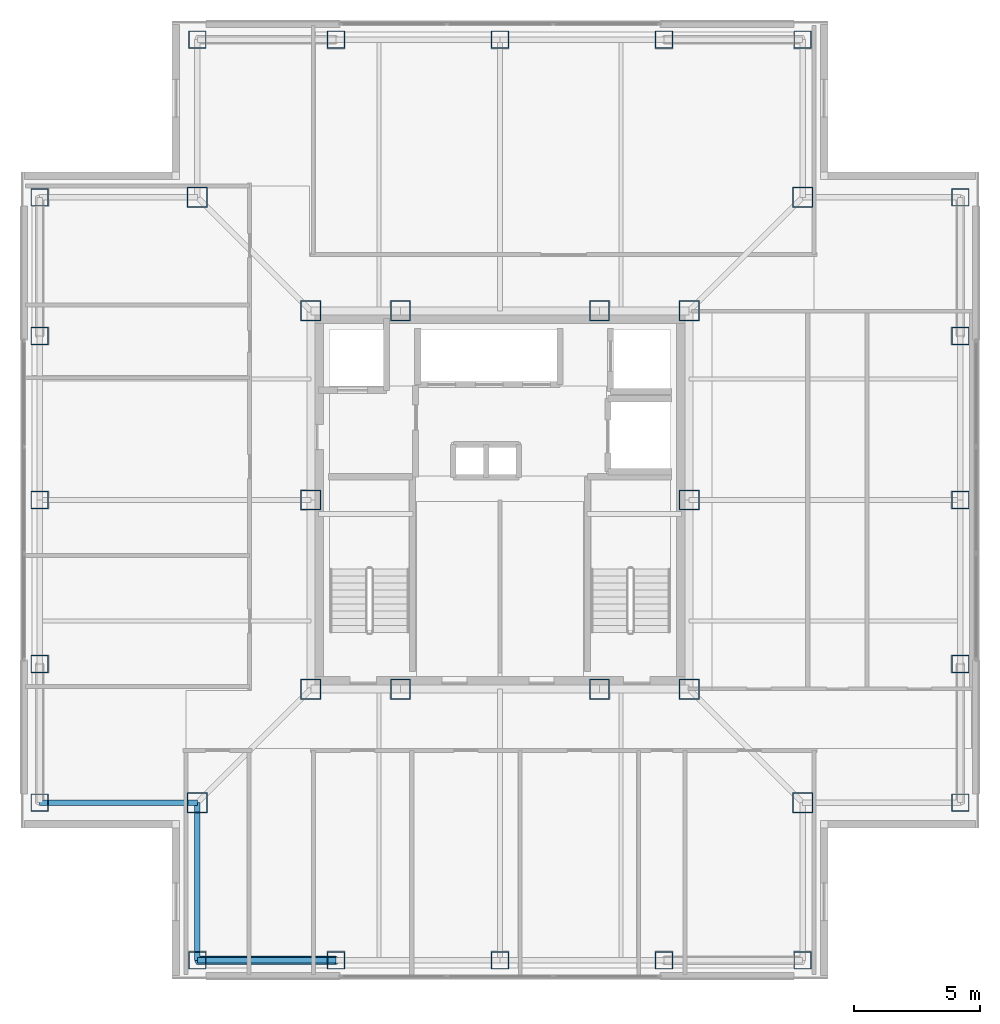
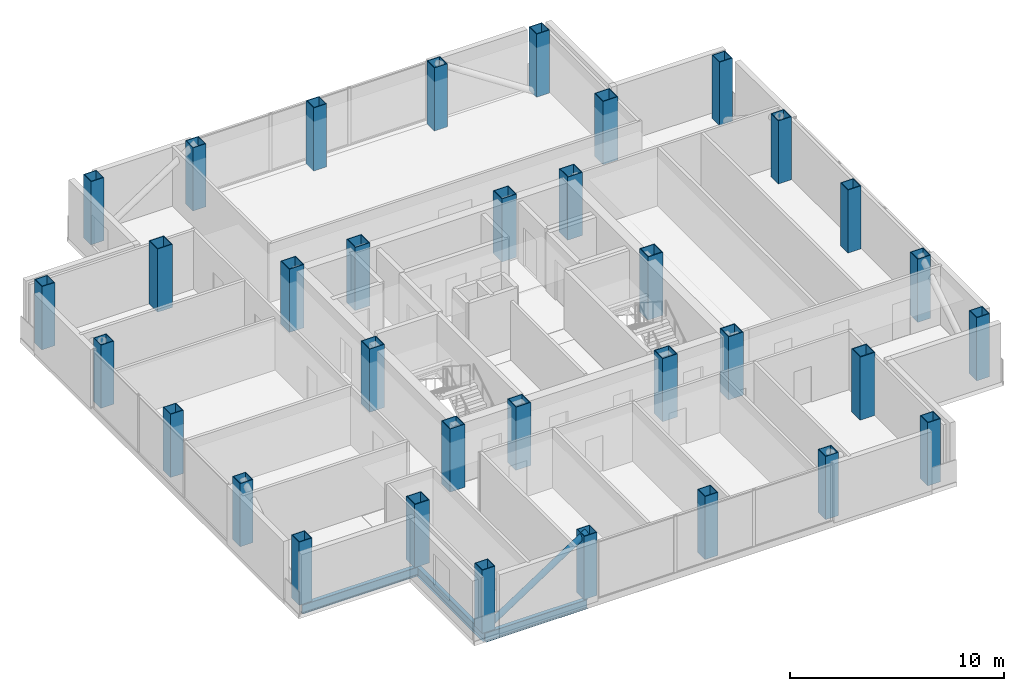
# One storey, part 1 of 16: 34 columns, 3 beams, 1 member.
"""IFC4 building model written with IfcOpenShell, lengths in metres."""

from ifc_helpers import new_model, si_unit, direction, frame, origin, origin_2d, place, context, subcontext, project, spatial, hollow_rectangle, hollow_circle, i_section, extrude, material, material_profile, profile_set, type_object, element, save


model = new_model("IFC4")

# Units and contexts
model_context = context("Model", 3, precision=1e-05, world=origin(), true_north=direction((0.0, 1.0)))
body_context = subcontext(model_context, "Body", "Model", "MODEL_VIEW")
ifc_project = project(units=[si_unit("LENGTHUNIT", "METRE"), si_unit("AREAUNIT", "SQUARE_METRE"), si_unit("VOLUMEUNIT", "CUBIC_METRE"), si_unit("PLANEANGLEUNIT", "RADIAN"), si_unit("MASSUNIT", "GRAM", prefix="KILO")], contexts=[model_context])

# Site, building, storey
site_placement = place(None, origin())
site = spatial("IfcSite", under=ifc_project, at=site_placement, CompositionType="ELEMENT")
building_placement = place(site_placement, origin())
building = spatial("IfcBuilding", under=site, at=building_placement, Name="Trevonay Congress Spire", CompositionType="ELEMENT")
storey_placement = place(building_placement, frame((0.0, 0.0, 290.0)))
storey = spatial("IfcBuildingStorey", under=building, at=storey_placement, Name="L76", CompositionType="ELEMENT", Elevation=290.0)

# Columns
ifc_material_1 = material(Name="Steel ASTM A572 Grade 50", Category="steel")
ifc_material_profile_1 = material_profile(ifc_material_1, hollow_rectangle(XDim=0.800048828125, YDim=0.800048828125, WallThickness=0.0400390625, at=origin_2d()), Name="BOX 800x800x40")
ifc_profile_set_1 = profile_set([ifc_material_profile_1], Name="Steel ASTM A572 Grade 50")
column_type_1 = type_object("IfcColumnType", Name="COL-CORE-BOX800", PredefinedType="COLUMN", material=ifc_profile_set_1)
for number, where, z_axis, x_axis, name in (
    (1, (-7.5, -7.5, 0.0), (0.0, 0.0, 1.0), (1.0, 0.0, 0.0), "L76 column C05 at CC-SW"),
    (2, (-3.949951171875, -7.5, 0.0), (0.0, 0.0, 1.0), (1.0, 0.0, 0.0), "L76 column C05 at CC-SMW"),
    (3, (3.949951171875, -7.5, 0.0), (0.0, 0.0, 1.0), (1.0, 0.0, 0.0), "L76 column C05 at CC-SME"),
    (4, (7.5, -7.5, 0.0), (0.0, 0.0, 1.0), (1.0, 0.0, 0.0), "L76 column C05 at CC-SE"),
    (5, (7.5, 0.0, 0.0), (0.0, 0.0, 1.0), (1.0, 0.0, 0.0), "L76 column C05 at CC-E"),
    (6, (7.5, 7.5, 0.0), (0.0, 0.0, 1.0), (1.0, 0.0, 0.0), "L76 column C05 at CC-NE"),
    (7, (3.949951171875, 7.5, 0.0), (0.0, 0.0, 1.0), (1.0, 0.0, 0.0), "L76 column C05 at CC-NME"),
    (8, (-3.949951171875, 7.5, 0.0), (0.0, 0.0, 1.0), (1.0, 0.0, 0.0), "L76 column C05 at CC-NMW"),
    (9, (-7.5, 7.5, 0.0), (0.0, 0.0, 1.0), (1.0, 0.0, 0.0), "L76 column C05 at CC-NW"),
    (10, (-7.5, 0.0, 0.0), (0.0, 0.0, 1.0), (1.0, 0.0, 0.0), "L76 column C05 at CC-W"),
):
    element("IfcColumn", number, at=place(storey_placement, frame(where, z_axis=z_axis, x_axis=x_axis)), inside=storey, type_object=column_type_1, Name=name, PredefinedType="COLUMN", context=body_context, shape_type="SweptSolid", body=[
        extrude(hollow_rectangle(XDim=0.800048828125, YDim=0.800048828125, WallThickness=0.0400390625, at=origin_2d()), origin(), (0.0, 0.0, 1.0), 3.60009765625),
    ])
ifc_material_profile_2 = material_profile(ifc_material_1, hollow_rectangle(XDim=0.699951171875, YDim=0.699951171875, WallThickness=0.034912109375, at=origin_2d()), Name="BOX 700x700x35")
ifc_profile_set_2 = profile_set([ifc_material_profile_2], Name="Steel ASTM A572 Grade 50")
column_type_2 = type_object("IfcColumnType", Name="COL-TUBE-BOX700", PredefinedType="COLUMN", material=ifc_profile_set_2)
for number, where, z_axis, x_axis, name in (
    (11, (-12.0, -18.25, 0.0), (0.0, 0.0, 1.0), (1.0, 0.0, 0.0), "L76 column C17 at TS-1"),
    (12, (-12.0, 18.25, 0.0), (0.0, 0.0, 1.0), (1.0, 0.0, 0.0), "L76 column C17 at TN-1"),
    (13, (-18.25, -12.0, 0.0), (0.0, 0.0, 1.0), (1.0, 0.0, 0.0), "L76 column C17 at TW-1"),
    (14, (18.25, -12.0, 0.0), (0.0, 0.0, 1.0), (1.0, 0.0, 0.0), "L76 column C17 at TE-1"),
    (15, (-6.5, -18.25, 0.0), (0.0, 0.0, 1.0), (1.0, 0.0, 0.0), "L76 column C17 at TS-2"),
    (16, (-6.5, 18.25, 0.0), (0.0, 0.0, 1.0), (1.0, 0.0, 0.0), "L76 column C17 at TN-2"),
    (17, (-18.25, -6.5, 0.0), (0.0, 0.0, 1.0), (1.0, 0.0, 0.0), "L76 column C17 at TW-2"),
    (18, (18.25, -6.5, 0.0), (0.0, 0.0, 1.0), (1.0, 0.0, 0.0), "L76 column C17 at TE-2"),
    (19, (0.0, -18.25, 0.0), (0.0, 0.0, 1.0), (1.0, 0.0, 0.0), "L76 column C17 at TS-3"),
    (20, (0.0, 18.25, 0.0), (0.0, 0.0, 1.0), (1.0, 0.0, 0.0), "L76 column C17 at TN-3"),
    (21, (-18.25, 0.0, 0.0), (0.0, 0.0, 1.0), (1.0, 0.0, 0.0), "L76 column C17 at TW-3"),
    (22, (18.25, 0.0, 0.0), (0.0, 0.0, 1.0), (1.0, 0.0, 0.0), "L76 column C17 at TE-3"),
    (23, (6.5, -18.25, 0.0), (0.0, 0.0, 1.0), (1.0, 0.0, 0.0), "L76 column C17 at TS-4"),
    (24, (6.5, 18.25, 0.0), (0.0, 0.0, 1.0), (1.0, 0.0, 0.0), "L76 column C17 at TN-4"),
    (25, (-18.25, 6.5, 0.0), (0.0, 0.0, 1.0), (1.0, 0.0, 0.0), "L76 column C17 at TW-4"),
    (26, (18.25, 6.5, 0.0), (0.0, 0.0, 1.0), (1.0, 0.0, 0.0), "L76 column C17 at TE-4"),
    (27, (12.0, -18.25, 0.0), (0.0, 0.0, 1.0), (1.0, 0.0, 0.0), "L76 column C17 at TS-5"),
    (28, (12.0, 18.25, 0.0), (0.0, 0.0, 1.0), (1.0, 0.0, 0.0), "L76 column C17 at TN-5"),
    (29, (-18.25, 12.0, 0.0), (0.0, 0.0, 1.0), (1.0, 0.0, 0.0), "L76 column C17 at TW-5"),
    (30, (18.25, 12.0, 0.0), (0.0, 0.0, 1.0), (1.0, 0.0, 0.0), "L76 column C17 at TE-5"),
):
    element("IfcColumn", number, at=place(storey_placement, frame(where, z_axis=z_axis, x_axis=x_axis)), inside=storey, type_object=column_type_2, Name=name, PredefinedType="COLUMN", context=body_context, shape_type="SweptSolid", body=[
        extrude(hollow_rectangle(XDim=0.699951171875, YDim=0.699951171875, WallThickness=0.034912109375, at=origin_2d()), origin(), (0.0, 0.0, 1.0), 3.60009765625),
    ])
ifc_material_profile_3 = material_profile(ifc_material_1, hollow_rectangle(XDim=0.800048828125, YDim=0.800048828125, WallThickness=0.0400390625, at=origin_2d()), Name="BOX 800x800x40")
ifc_profile_set_3 = profile_set([ifc_material_profile_3], Name="Steel ASTM A572 Grade 50")
column_type_3 = type_object("IfcColumnType", Name="COL-TUBE-BOX800", PredefinedType="COLUMN", material=ifc_profile_set_3)
for number, where, z_axis, x_axis, name in (
    (31, (-12.0, -12.0, 0.0), (0.0, 0.0, 1.0), (1.0, 0.0, 0.0), "L76 column C16 at NC-SW"),
    (32, (12.0, -12.0, 0.0), (0.0, 0.0, 1.0), (1.0, 0.0, 0.0), "L76 column C16 at NC-SE"),
    (33, (12.0, 12.0, 0.0), (0.0, 0.0, 1.0), (1.0, 0.0, 0.0), "L76 column C16 at NC-NE"),
    (34, (-12.0, 12.0, 0.0), (0.0, 0.0, 1.0), (1.0, 0.0, 0.0), "L76 column C16 at NC-NW"),
):
    element("IfcColumn", number, at=place(storey_placement, frame(where, z_axis=z_axis, x_axis=x_axis)), inside=storey, type_object=column_type_3, Name=name, PredefinedType="COLUMN", context=body_context, shape_type="SweptSolid", body=[
        extrude(hollow_rectangle(XDim=0.800048828125, YDim=0.800048828125, WallThickness=0.0400390625, at=origin_2d()), origin(), (0.0, 0.0, 1.0), 3.60009765625),
    ])

# Beams
ifc_material_profile_4 = material_profile(ifc_material_1, i_section(OverallWidth=0.208984375, OverallDepth=0.532958984375, WebThickness=0.01025390625, FlangeThickness=0.015625, FilletRadius=0.014892578125, at=origin_2d()), Name="W530x92")
ifc_profile_set_4 = profile_set([ifc_material_profile_4], Name="Steel ASTM A572 Grade 50")
beam_type = type_object("IfcBeamType", Name="BM-RING-W530X92", PredefinedType="BEAM", material=ifc_profile_set_4)
beam_placement = place(storey_placement, frame((-12.0, -18.25, -0.506591796875), z_axis=(1.0, 0.0, 0.0), x_axis=(0.0, 1.0, 0.0)))
element("IfcBeam", 35, at=beam_placement, inside=storey, type_object=beam_type, Name="L76 structural beam BM-L76-PS1", PredefinedType="BEAM", context=body_context, shape_type="SweptSolid", body=[
    extrude(i_section(OverallWidth=0.208984375, OverallDepth=0.532958984375, WebThickness=0.01025390625, FlangeThickness=0.015625, FilletRadius=0.014892578125, at=origin_2d()), origin(), (0.0, 0.0, 1.0), 5.5),
])
for number, where, z_axis, x_axis, name in (
    (36, (-12.0, -18.25, -0.506591796875), (0.0, 1.0, 0.0), (-1.0, 0.0, 0.0), "L76 structural beam BM-L76-N1SW"),
    (37, (-18.25, -12.0, -0.506591796875), (1.0, 0.0, 0.0), (0.0, 1.0, 0.0), "L76 structural beam BM-L76-N2SW"),
):
    element("IfcBeam", number, at=place(storey_placement, frame(where, z_axis=z_axis, x_axis=x_axis)), inside=storey, type_object=beam_type, Name=name, PredefinedType="BEAM", context=body_context, shape_type="SweptSolid", body=[
        extrude(i_section(OverallWidth=0.208984375, OverallDepth=0.532958984375, WebThickness=0.01025390625, FlangeThickness=0.015625, FilletRadius=0.014892578125, at=origin_2d()), origin(), (0.0, 0.0, 1.0), 6.25),
    ])

# Member
ifc_material_2 = material(Name="Steel ASTM A500 Grade C", Category="steel")
ifc_material_profile_5 = material_profile(ifc_material_2, hollow_circle(Radius=0.161865234375, WallThickness=0.01611328125, at=origin_2d()), Name="CHS 323.9x16")
ifc_profile_set_5 = profile_set([ifc_material_profile_5], Name="Steel ASTM A500 Grade C")
member_type = type_object("IfcMemberType", Name="MBR-TUBE-CHS324", PredefinedType="BRACE", material=ifc_profile_set_5)
member_placement = place(storey_placement, frame((-12.0, -18.25, -0.050048828125), z_axis=(0.836694709366, 0.0, 0.547669574943), x_axis=(0.0, 1.0, 0.0)))
element("IfcMember", 38, at=member_placement, inside=storey, type_object=member_type, Name="L76 perimeter braced-tube diagonal S0", PredefinedType="BRACE", context=body_context, shape_type="SweptSolid", body=[
    extrude(hollow_circle(Radius=0.161865234375, WallThickness=0.01611328125, at=origin_2d()), origin(), (0.0, 0.0, 1.0), 6.573486328125),
])

save(model, "model.ifc")
